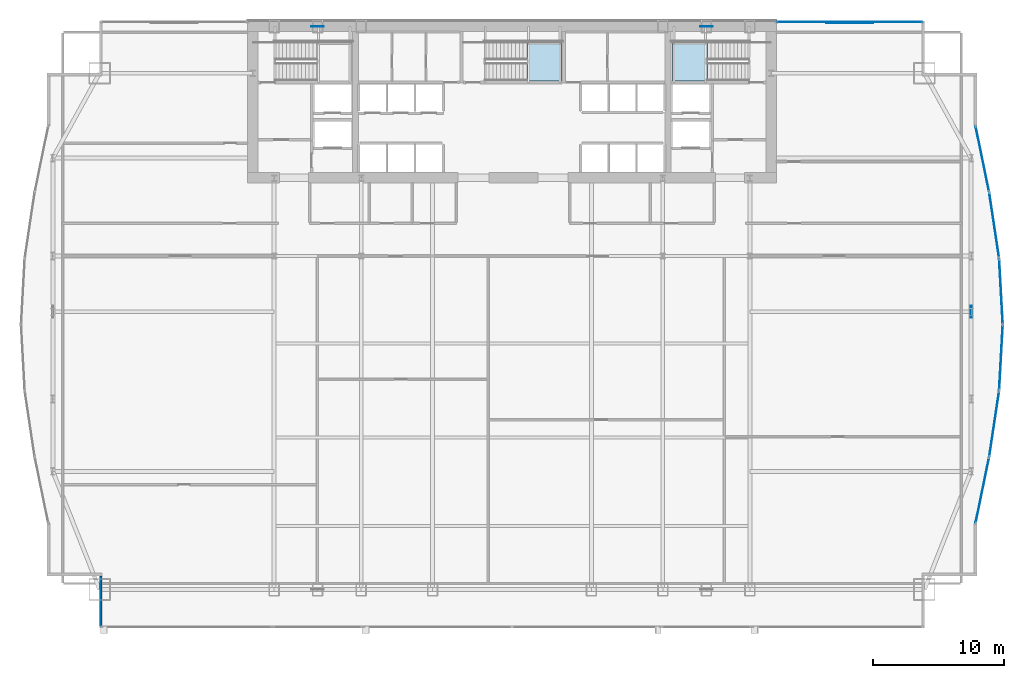
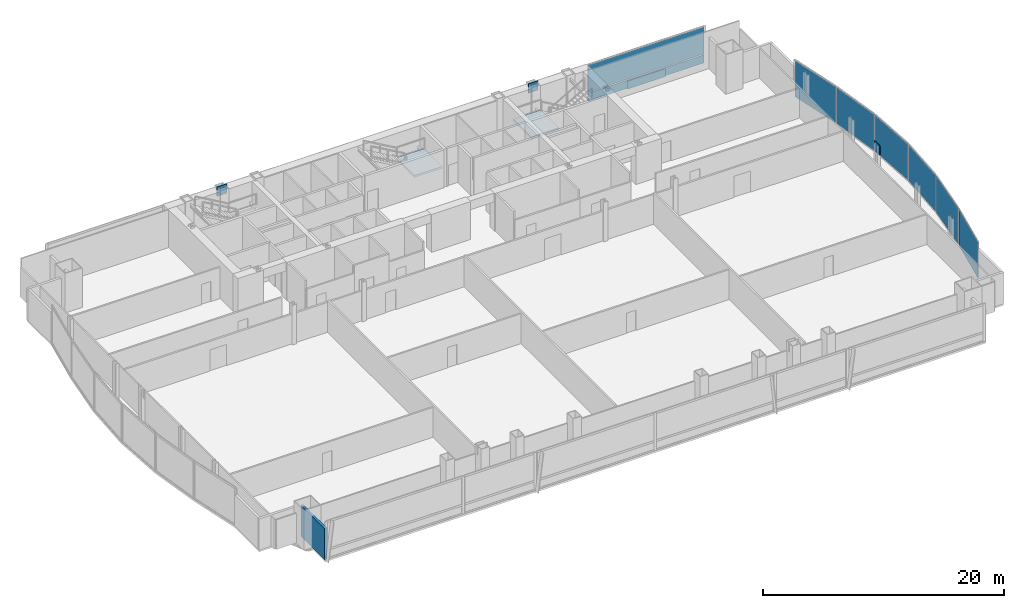
# One storey, part 29 of 36: 12 plates, 2 slabs, 1 wall, 9 elements without a shape of their own.
"""IFC4 building model written with IfcOpenShell, lengths in metres."""

from ifc_helpers import new_model, si_unit, direction, frame, frame_2d, origin, origin_2d, place, context, subcontext, project, spatial, polyline, rectangle, outline, extrude, material, layer, layer_set, type_object, element, aggregate, save


model = new_model("IFC4")

# Units and contexts
model_context = context("Model", 3, precision=1e-05, world=origin(), true_north=direction((0.0, 1.0)))
body_context = subcontext(model_context, "Body", "Model", "MODEL_VIEW")
ifc_project = project(units=[si_unit("LENGTHUNIT", "METRE"), si_unit("AREAUNIT", "SQUARE_METRE"), si_unit("VOLUMEUNIT", "CUBIC_METRE"), si_unit("PLANEANGLEUNIT", "RADIAN"), si_unit("MASSUNIT", "GRAM", prefix="KILO")], contexts=[model_context])

# Site, building, storey
site_placement = place(None, origin())
site = spatial("IfcSite", under=ifc_project, at=site_placement, CompositionType="ELEMENT")
building_placement = place(site_placement, origin())
building = spatial("IfcBuilding", under=site, at=building_placement, Name="Khoronbel Lancet Exchange", CompositionType="ELEMENT")
storey_placement = place(building_placement, frame((0.0, 0.0, 57.800048828125)))
storey = spatial("IfcBuildingStorey", under=building, at=storey_placement, Name="L13", CompositionType="ELEMENT", Elevation=57.800048828125)

# Curtain wall, plate
ifc_material_1 = material(Name="Low-E Solar Control Insulating Glass", Category="glass")
curtain_wall_type_1 = type_object("IfcCurtainWallType", Name="CW-1", PredefinedType="NOTDEFINED", material=ifc_material_1)
curtain_wall_1_placement = place(storey_placement, origin())
curtain_wall_1 = element("IfcCurtainWall", 1, at=curtain_wall_1_placement, inside=storey, type_object=curtain_wall_type_1, Name="Unitised curtain wall CW-L13-NEFLK", PredefinedType="NOTDEFINED")
ifc_material_2 = material(Name="Bronze-Anodised Aluminium 6063-T6", Category="aluminium")
ifc_layer_1 = layer(ifc_material_2, 0.050048828125, Name="Bronze-Anodised Aluminium 6063-T6")
ifc_layer_set_1 = layer_set([ifc_layer_1], Name="Bronze-Anodised Aluminium 6063-T6")
plate_type_1 = type_object("IfcPlateType", Name="PLT-CSP1", PredefinedType="SHEET", material=ifc_layer_set_1)
plate_1_placement = place(storey_placement, frame((62.320068359375, 53.550048828125, 0.0498046875), z_axis=(0.0, 0.0, 1.0), x_axis=(-1.0, 0.0, 0.0)))
plate_1 = element("IfcPlate", 2, at=plate_1_placement, type_object=plate_type_1, Name="Insulated bronze spandrel cassette CW-L13-NEFLK", PredefinedType="SHEET", context=body_context, shape_type="SweptSolid", body=[
    extrude(rectangle(XDim=3.60009765625, YDim=0.050048828125, at=origin_2d()), origin(), (0.0, 0.0, 1.0), 0.800048828125),
])

curtain_wall_type_2 = type_object("IfcCurtainWallType", Name="CW-4", PredefinedType="NOTDEFINED", material=ifc_material_1)
curtain_wall_2_placement = place(storey_placement, origin())
curtain_wall_2 = element("IfcCurtainWall", 3, at=curtain_wall_2_placement, inside=storey, type_object=curtain_wall_type_2, Name="Unitised curtain wall CW-L13-E18", PredefinedType="NOTDEFINED")
plate_2_placement = place(storey_placement, frame((73.390869140625, 38.0625, 0.0849609375), z_axis=(0.0, 0.0, 1.0), x_axis=(0.149079502463, -0.988825213041, 0.0)))
plate_2 = element("IfcPlate", 4, at=plate_2_placement, type_object=plate_type_1, Name="CW4 panel 1.1", PredefinedType="CURTAIN_PANEL", context=body_context, shape_type="SweptSolid", body=[
    extrude(rectangle(XDim=4.984130859375, YDim=0.0380859375, at=origin_2d()), origin(), (0.0, 0.0, 1.0), 3.64990234375),
])
aggregate(curtain_wall_2, [plate_2])

curtain_wall_3_placement = place(storey_placement, origin())
curtain_wall_3 = element("IfcCurtainWall", 5, at=curtain_wall_3_placement, inside=storey, type_object=curtain_wall_type_2, Name="Unitised curtain wall CW-L13-E19", PredefinedType="NOTDEFINED")
plate_3_placement = place(storey_placement, frame((73.91357421875, 32.987060546875, 0.0849609375), z_axis=(0.0, 0.0, 1.0), x_axis=(0.055098374212, -0.998480930794, 0.0)))
plate_3 = element("IfcPlate", 6, at=plate_3_placement, type_object=plate_type_1, Name="CW4 panel 1.1", PredefinedType="CURTAIN_PANEL", context=body_context, shape_type="SweptSolid", body=[
    extrude(rectangle(XDim=4.931884765625, YDim=0.0380859375, at=origin_2d()), origin(), (0.0, 0.0, 1.0), 3.64990234375),
])
aggregate(curtain_wall_3, [plate_3])

curtain_wall_4_placement = place(storey_placement, origin())
curtain_wall_4 = element("IfcCurtainWall", 7, at=curtain_wall_4_placement, inside=storey, type_object=curtain_wall_type_2, Name="Unitised curtain wall CW-L13-E20", PredefinedType="NOTDEFINED")
plate_4_placement = place(storey_placement, frame((73.91357421875, 27.912841796875, 0.0849609375), z_axis=(0.0, 0.0, 1.0), x_axis=(-0.055098374212, -0.998480930794, 0.0)))
plate_4 = element("IfcPlate", 8, at=plate_4_placement, type_object=plate_type_1, Name="CW4 panel 1.1", PredefinedType="CURTAIN_PANEL", context=body_context, shape_type="SweptSolid", body=[
    extrude(rectangle(XDim=4.931884765625, YDim=0.0380859375, at=origin_2d()), origin(), (0.0, 0.0, 1.0), 3.64990234375),
])
aggregate(curtain_wall_4, [plate_4])

curtain_wall_5_placement = place(storey_placement, origin())
curtain_wall_5 = element("IfcCurtainWall", 9, at=curtain_wall_5_placement, inside=storey, type_object=curtain_wall_type_2, Name="Unitised curtain wall CW-L13-E21", PredefinedType="NOTDEFINED")
plate_5_placement = place(storey_placement, frame((73.390869140625, 22.83740234375, 0.0849609375), z_axis=(0.0, 0.0, 1.0), x_axis=(-0.149079502463, -0.988825213041, 0.0)))
plate_5 = element("IfcPlate", 10, at=plate_5_placement, type_object=plate_type_1, Name="CW4 panel 1.1", PredefinedType="CURTAIN_PANEL", context=body_context, shape_type="SweptSolid", body=[
    extrude(rectangle(XDim=4.984130859375, YDim=0.0380859375, at=origin_2d()), origin(), (0.0, 0.0, 1.0), 3.64990234375),
])
aggregate(curtain_wall_5, [plate_5])

# Plate
ifc_layer_2 = layer(ifc_material_1, 0.035888671875, Name="Low-E Solar Control Insulating Glass")
ifc_layer_set_2 = layer_set([ifc_layer_2], Name="Low-E Solar Control Insulating Glass")
plate_type_2 = type_object("IfcPlateType", Name="PLT-CWP1", PredefinedType="CURTAIN_PANEL", material=ifc_layer_set_2)
plate_6_placement = place(storey_placement, frame((62.320068359375, 53.610107421875, 0.0849609375), z_axis=(0.0, 0.0, 1.0), x_axis=(-1.0, 0.0, 0.0)))
plate_6 = element("IfcPlate", 11, at=plate_6_placement, type_object=plate_type_2, Name="CW1 panel 1.1", PredefinedType="CURTAIN_PANEL", context=body_context, shape_type="SweptSolid", body=[
    extrude(rectangle(XDim=11.110107421875, YDim=0.0380859375, at=origin_2d()), origin(), (0.0, 0.0, 1.0), 0.822509765625),
])

plate_7_placement = place(storey_placement, frame((62.320068359375, 53.610107421875, 0.99267578125), z_axis=(0.0, 0.0, 1.0), x_axis=(-1.0, 0.0, 0.0)))
plate_7 = element("IfcPlate", 12, at=plate_7_placement, type_object=plate_type_2, Name="CW1 panel 1.2", PredefinedType="CURTAIN_PANEL", context=body_context, shape_type="SweptSolid", body=[
    extrude(rectangle(XDim=11.110107421875, YDim=0.0380859375, at=origin_2d()), origin(), (0.0, 0.0, 1.0), 2.742431640625),
])

aggregate(curtain_wall_1, [plate_6, plate_7, plate_1])

# Curtain wall, plate
curtain_wall_6_placement = place(storey_placement, origin())
curtain_wall_6 = element("IfcCurtainWall", 13, at=curtain_wall_6_placement, inside=storey, type_object=curtain_wall_type_2, Name="Unitised curtain wall CW-L13-E17", PredefinedType="NOTDEFINED")
ifc_material_3 = material(Name="Ceramic-Fritted Laminated Insulating Glass", Category="glass")
ifc_layer_3 = layer(ifc_material_3, 0.0419921875, Name="Ceramic-Fritted Laminated Insulating Glass")
ifc_layer_set_3 = layer_set([ifc_layer_3], Name="Ceramic-Fritted Laminated Insulating Glass")
plate_type_3 = type_object("IfcPlateType", Name="PLT-CWP2", PredefinedType="CURTAIN_PANEL", material=ifc_layer_set_3)
plate_8_placement = place(storey_placement, frame((72.484130859375, 43.145751953125, 0.0849609375), z_axis=(0.0, 0.0, 1.0), x_axis=(0.201704501049, -0.979446422351, 0.0)))
plate_8 = element("IfcPlate", 14, at=plate_8_placement, type_object=plate_type_3, Name="CW4 panel 1.1", PredefinedType="CURTAIN_PANEL", context=body_context, shape_type="SweptSolid", body=[
    extrude(rectangle(XDim=5.046630859375, YDim=0.0380859375, at=origin_2d()), origin(), (0.0, 0.0, 1.0), 3.64990234375),
])
aggregate(curtain_wall_6, [plate_8])

curtain_wall_7_placement = place(storey_placement, origin())
curtain_wall_7 = element("IfcCurtainWall", 15, at=curtain_wall_7_placement, inside=storey, type_object=curtain_wall_type_2, Name="Unitised curtain wall CW-L13-E22", PredefinedType="NOTDEFINED")
plate_9_placement = place(storey_placement, frame((72.484130859375, 17.754150390625, 0.0849609375), z_axis=(0.0, 0.0, 1.0), x_axis=(-0.201704501049, -0.979446422351, 0.0)))
plate_9 = element("IfcPlate", 16, at=plate_9_placement, type_object=plate_type_3, Name="CW4 panel 1.1", PredefinedType="CURTAIN_PANEL", context=body_context, shape_type="SweptSolid", body=[
    extrude(rectangle(XDim=5.046630859375, YDim=0.0380859375, at=origin_2d()), origin(), (0.0, 0.0, 1.0), 3.64990234375),
])
aggregate(curtain_wall_7, [plate_9])

# Plates
ifc_material_4 = material(Name="Steel S460", Category="steel")
ifc_layer_4 = layer(ifc_material_4, 0.06005859375, Name="Steel S460")
ifc_layer_set_4 = layer_set([ifc_layer_4], Name="Steel S460")
plate_type_4 = type_object("IfcPlateType", Name="PLT-ND1", PredefinedType="USERDEFINED", material=ifc_layer_set_4)
for number, where, z_axis, x_axis, name in (
    (17, (21.5625, 53.280029296875, 3.1748046875), (0.0, 0.0, 1.0), (1.0, 0.0, 0.0), "ND1 perimeter brace node gusset T03-N-W"),
    (18, (51.33740234375, 53.280029296875, 3.1748046875), (0.0, 0.0, 1.0), (1.0, 0.0, 0.0), "ND1 perimeter brace node gusset T03-N-E"),
    (19, (71.6298828125, 31.425048828125, 3.1748046875), (0.0, 0.0, 1.0), (0.0, 1.0, 0.0), "ND1 perimeter brace node gusset T03-E-P"),
):
    element("IfcPlate", number, at=place(storey_placement, frame(where, z_axis=z_axis, x_axis=x_axis)), inside=storey, type_object=plate_type_4, Name=name, ObjectType="GUSSET_PLATE", PredefinedType="USERDEFINED", context=body_context, shape_type="SweptSolid", body=[
        extrude(rectangle(XDim=0.949951171875, YDim=0.06005859375, at=origin_2d()), origin(), (0.0, 0.0, 1.0), 0.949951171875),
    ])

# Stair, slab
ifc_material_5 = material(Name="Concrete C40/50", Category="concrete")
stair_type = type_object("IfcStairType", Name="STR-CORE150", PredefinedType="HALF_TURN_STAIR", material=ifc_material_5)
stair_1_placement = place(storey_placement, origin())
stair_1 = element("IfcStair", 20, at=stair_1_placement, inside=storey, type_object=stair_type, Name="L13 Protected Exit Stair ST2", PredefinedType="HALF_TURN_STAIR")
ifc_layer_5 = layer(ifc_material_5, 0.199951171875, Name="Concrete C40/50")
ifc_layer_set_5 = layer_set([ifc_layer_5], Name="Concrete C40/50")
slab_type = type_object("IfcSlabType", Name="SL-LND180", PredefinedType="LANDING", material=ifc_layer_set_5)
slab_1_placement = place(storey_placement, frame((0.0, 0.0, 1.800048828125)))
slab_1 = element("IfcSlab", 21, at=slab_1_placement, type_object=slab_type, Name="ST2 landing 1", PredefinedType="LANDING", context=body_context, shape_type="SweptSolid", body=[
    extrude(outline(polyline([(51.409912109375, 52.10009765625), (48.75, 52.10009765625), (48.75, 49.1201171875), (51.409912109375, 49.1201171875), (51.409912109375, 52.10009765625)])), origin(), (0.0, 0.0, 1.0), 0.199951171875),
])
aggregate(stair_1, [slab_1])

stair_2_placement = place(storey_placement, origin())
stair_2 = element("IfcStair", 22, at=stair_2_placement, inside=storey, type_object=stair_type, Name="L13 Protected Exit Stair ST3", PredefinedType="HALF_TURN_STAIR")
slab_2_placement = place(storey_placement, frame((0.0, 0.0, 1.800048828125)))
slab_2 = element("IfcSlab", 23, at=slab_2_placement, type_object=slab_type, Name="ST3 landing 1", PredefinedType="LANDING", context=body_context, shape_type="SweptSolid", body=[
    extrude(outline(polyline([(37.590087890625, 49.1201171875), (40.25, 49.1201171875), (40.25, 52.10009765625), (37.590087890625, 52.10009765625), (37.590087890625, 49.1201171875)])), origin(), (0.0, 0.0, 1.0), 0.199951171875),
])
aggregate(stair_2, [slab_2])

# Wall
ifc_material_6 = material(Name="Precast concrete C40/50", Category="concrete")
ifc_layer_6 = layer(ifc_material_6, 0.25, Name="Precast concrete C40/50")
ifc_layer_set_6 = layer_set([ifc_layer_6], Name="Precast concrete C40/50")
wall_type = type_object("IfcWallType", Name="WL-EXT250", PredefinedType="SOLIDWALL", material=ifc_layer_set_6)
wall_placement = place(storey_placement, frame((4.93994140625, 7.27001953125, 0.0), z_axis=(0.0, 0.0, 1.0), x_axis=(0.0, 1.0, 0.0)))
element("IfcWall", 24, at=wall_placement, inside=storey, type_object=wall_type, Name="Level L13 notched-corner limestone pier 01", PredefinedType="SOLIDWALL", context=body_context, shape_type="SweptSolid", body=[
    extrude(rectangle(XDim=3.909912109375, YDim=0.219970703125, at=frame_2d((1.955078125, 0.0))), origin(), (0.0, 0.0, 1.0), 3.159912109375),
])

save(model, "model.ifc")
